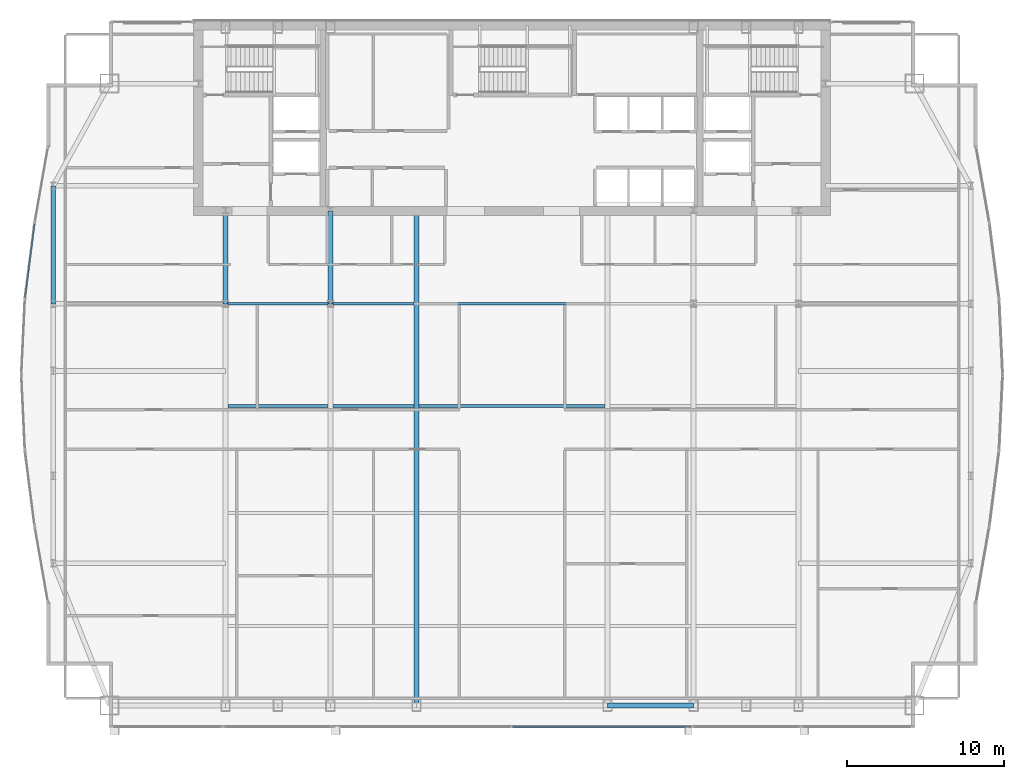
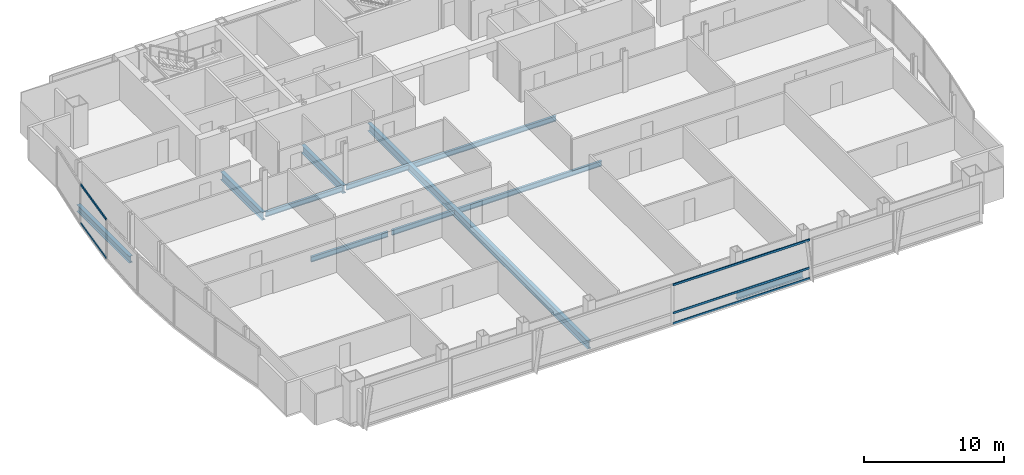
# One storey, part 11 of 30: 11 beams, 5 members, 2 elements without a shape of their own.
"""IFC4 building model written with IfcOpenShell, lengths in metres."""

import ifcopenshell
import ifcopenshell.guid

model = None  # the IFC model being written
_history = None  # IfcOwnerHistory: only IFC2X3 demands one
_inside = {}  # id of a spatial element -> (the spatial element, [elements in it])
_under = {}  # id of a project, library or spatial element -> (it, [spatial elements below it])
_declared = {}  # id of a project -> (the project, [libraries it declares])
_typed = {}  # id of a type object -> (the type object, [elements of that type])
_made_of = {}  # id of a material, layer set ... -> (it, [elements and type objects made of it])


def new_model(schema):
    """Start an empty IFC model of exactly this schema.

    Asked for "IFC4X3", IfcOpenShell would pick the latest addendum, in which some entities
    have other attributes; the version numbers below select the first issue.
    IFC2X3 requires an IfcOwnerHistory on every rooted entity: one is made here for all.
    """
    global model, _history
    if schema == "IFC4X3":
        model = ifcopenshell.file(schema_version=(4, 3, 0, 0))
    else:
        model = ifcopenshell.file(schema=schema)
    _inside.clear()
    _under.clear()
    _declared.clear()
    _typed.clear()
    _made_of.clear()
    _history = None
    if model.schema == "IFC2X3":
        org = make("IfcOrganization", Name="unknown")
        user = make(
            "IfcPersonAndOrganization",
            ThePerson=make("IfcPerson", FamilyName="unknown"),
            TheOrganization=org,
        )
        app = make(
            "IfcApplication",
            ApplicationDeveloper=org,
            Version="unknown",
            ApplicationFullName="unknown",
            ApplicationIdentifier="unknown",
        )
        _history = make(
            "IfcOwnerHistory",
            OwningUser=user,
            OwningApplication=app,
            ChangeAction="ADDED",
            CreationDate=0,
        )
    return model


def make(cls, **values):
    """One entity of the class cls with the attributes given. An attribute that is None is left unset."""
    return model.create_entity(
        cls, **{name: value for name, value in values.items() if value is not None}
    )


def rooted(cls, **values):
    """An entity with a GlobalId (a new one), such as an element, a storey or a relation."""
    return make(cls, GlobalId=ifcopenshell.guid.new(), OwnerHistory=_history, **values)


def si_unit(unit_type, name, prefix=None):
    """IfcSIUnit, for example si_unit("LENGTHUNIT", "METRE", prefix="MILLI")."""
    return make("IfcSIUnit", UnitType=unit_type, Prefix=prefix, Name=name)


def assignment(units):
    """IfcUnitAssignment: the units of a project."""
    return None if units is None else make("IfcUnitAssignment", Units=units)


def point(xyz):
    """IfcCartesianPoint."""
    return None if xyz is None else make("IfcCartesianPoint", Coordinates=xyz)


def direction(xyz):
    """IfcDirection."""
    return None if xyz is None else make("IfcDirection", DirectionRatios=xyz)


def frame(location, z_axis=None, x_axis=None):
    """IfcAxis2Placement3D, a coordinate frame: its origin and axes. An axis left out is left unset."""
    return make(
        "IfcAxis2Placement3D",
        Location=point(location),
        Axis=direction(z_axis),
        RefDirection=direction(x_axis),
    )


def frame_2d(location, x_axis=None):
    """IfcAxis2Placement2D, a coordinate frame in the plane: its origin and x axis."""
    return make(
        "IfcAxis2Placement2D", Location=point(location), RefDirection=direction(x_axis)
    )


def origin():
    """The frame at (0, 0, 0) with its axes left unset."""
    return frame((0.0, 0.0, 0.0))


def origin_2d():
    """The frame at (0, 0) in the plane with its x axis left unset."""
    return frame_2d((0.0, 0.0))


def place(relative_to, where):
    """IfcLocalPlacement: puts the frame where relative to a parent placement (None: the world)."""
    return make(
        "IfcLocalPlacement", PlacementRelTo=relative_to, RelativePlacement=where
    )


def context(
    kind, dimensions, precision=None, world=None, true_north=None, identifier=None
):
    """IfcGeometricRepresentationContext, for example the 3D "Model" context."""
    return make(
        "IfcGeometricRepresentationContext",
        ContextIdentifier=identifier,
        ContextType=kind,
        CoordinateSpaceDimension=dimensions,
        Precision=precision,
        WorldCoordinateSystem=world,
        TrueNorth=true_north,
    )


def subcontext(parent, identifier, kind, view, scale=None):
    """IfcGeometricRepresentationSubContext, for example "Body" below "Model"."""
    return make(
        "IfcGeometricRepresentationSubContext",
        ContextIdentifier=identifier,
        ContextType=kind,
        ParentContext=parent,
        TargetScale=scale,
        TargetView=view,
    )


def project(units=None, contexts=None):
    """IfcProject with its units and contexts."""
    return rooted(
        "IfcProject",
        Name="project",
        RepresentationContexts=contexts,
        UnitsInContext=assignment(units),
    )


def spatial(cls, under=None, at=None, **own):
    """A site, building, storey or space (cls), placed at a placement, below another one or the project."""
    s = rooted(cls, ObjectPlacement=at, **own)
    if under is not None:
        _under.setdefault(under.id(), (under, []))[1].append(s)
    return s


def profile(cls, at=None, kind="AREA", **sizes):
    """A parametric profile (cls). Its sizes go by their IFC names, for example OverallWidth=200.0."""
    return make(cls, ProfileType=kind, Position=at, **sizes)


def hollow_rectangle(**sizes):
    """IfcRectangleHollowProfileDef."""
    return profile("IfcRectangleHollowProfileDef", **sizes)


def i_section(**sizes):
    """IfcIShapeProfileDef."""
    return profile("IfcIShapeProfileDef", **sizes)


def extrude(swept, where, along, depth):
    """IfcExtrudedAreaSolid: the profile swept, set in the frame where, extruded along a direction by depth."""
    return make(
        "IfcExtrudedAreaSolid",
        SweptArea=swept,
        Position=where,
        ExtrudedDirection=direction(along),
        Depth=depth,
    )


def shape(context_of_items, identifier, shape_type, items):
    """IfcShapeRepresentation: the items that make up one representation, for example the "Body"."""
    return make(
        "IfcShapeRepresentation",
        ContextOfItems=context_of_items,
        RepresentationIdentifier=identifier,
        RepresentationType=shape_type,
        Items=items,
    )


def material(Name=None, Category=None):
    """IfcMaterial."""
    return make("IfcMaterial", Name=Name, Category=Category)


def material_profile(
    of_material, cross_section, Name=None, Category=None, Priority=None
):
    """IfcMaterialProfile: a cross section and its material."""
    return make(
        "IfcMaterialProfile",
        Name=Name,
        Material=of_material,
        Profile=cross_section,
        Priority=Priority,
        Category=Category,
    )


def profile_set(profiles, Name=None, composite=None):
    """IfcMaterialProfileSet."""
    return make(
        "IfcMaterialProfileSet",
        Name=Name,
        MaterialProfiles=profiles,
        CompositeProfile=composite,
    )


def made_of(thing, what):
    """Note that an element or type object is made of a material, layer set ...; save() writes the relation."""
    if what is not None:
        _made_of.setdefault(what.id(), (what, []))[1].append(thing)
    return thing


def type_object(cls, material=None, **own):
    """A type object (cls), such as IfcWallType, which elements share."""
    return made_of(rooted(cls, **own), material)


def element(
    cls,
    number,
    at=None,
    inside=None,
    cuts=None,
    type_object=None,
    material=None,
    context=None,
    identifier="Body",
    shape_type=None,
    held_by="IfcProductDefinitionShape",
    body=None,
    shapes=None,
    **own,
):
    """One element of the class cls, such as IfcWall. Its Tag is "e" and its number.

    at: its placement. inside: the storey or other place that contains it. cuts: it is an
    opening in that element (IfcRelVoidsElement). A single representation is given by context,
    identifier, shape_type and body (its items); several are given by shapes. held_by: the class
    of the entity that holds the representations. save() writes the other relations.
    """
    e = rooted(cls, Tag="e%d" % number, ObjectPlacement=at, **own)
    if body is not None:
        shapes = [shape(context, identifier, shape_type, body)]
    if shapes is not None:
        e.Representation = make(held_by, Representations=shapes)
    if inside is not None:
        _inside.setdefault(inside.id(), (inside, []))[1].append(e)
    if cuts is not None:
        rooted(
            "IfcRelVoidsElement", RelatingBuildingElement=cuts, RelatedOpeningElement=e
        )
    if type_object is not None:
        _typed.setdefault(type_object.id(), (type_object, []))[1].append(e)
    return made_of(e, material)


def aggregate(whole, parts):
    """IfcRelAggregates: a whole, such as a stair, and the parts it consists of."""
    return rooted("IfcRelAggregates", RelatingObject=whole, RelatedObjects=parts)


def save(model, path):
    """Write the relations noted so far, then the file.

    IfcRelAggregates (storeys below a building ...), IfcRelContainedInSpatialStructure (elements
    in a storey), IfcRelDefinesByType, IfcRelAssociatesMaterial and IfcRelDeclares: one each for
    every whole, place, type object, material and project.
    """
    for whole, parts in _under.values():
        aggregate(whole, parts)
    for where, things in _inside.values():
        rooted(
            "IfcRelContainedInSpatialStructure",
            RelatedElements=things,
            RelatingStructure=where,
        )
    for kind, things in _typed.values():
        rooted("IfcRelDefinesByType", RelatedObjects=things, RelatingType=kind)
    for what, things in _made_of.values():
        rooted("IfcRelAssociatesMaterial", RelatedObjects=things, RelatingMaterial=what)
    for by, libraries in _declared.values():
        rooted("IfcRelDeclares", RelatingContext=by, RelatedDefinitions=libraries)
    model.write(path)


model = new_model("IFC4")

# Units and contexts
model_context = context("Model", 3, precision=1e-05, world=origin(), true_north=direction((0.0, 1.0)))
body_context = subcontext(model_context, "Body", "Model", "MODEL_VIEW")
ifc_project = project(units=[si_unit("LENGTHUNIT", "METRE"), si_unit("AREAUNIT", "SQUARE_METRE"), si_unit("VOLUMEUNIT", "CUBIC_METRE"), si_unit("PLANEANGLEUNIT", "RADIAN"), si_unit("MASSUNIT", "GRAM", prefix="KILO")], contexts=[model_context])

# Site, building, storey
site_placement = place(None, origin())
site = spatial("IfcSite", under=ifc_project, at=site_placement, CompositionType="ELEMENT")
building_placement = place(site_placement, origin())
building = spatial("IfcBuilding", under=site, at=building_placement, Name="Khoronbel Lancet Exchange", CompositionType="ELEMENT")
storey_placement = place(building_placement, frame((0.0, 0.0, 203.0)))
storey = spatial("IfcBuildingStorey", under=building, at=storey_placement, Name="L51", CompositionType="ELEMENT", Elevation=203.0)

# Beams
ifc_material_1 = material(Name="Steel S355", Category="steel")
ifc_material_profile_1 = material_profile(ifc_material_1, i_section(OverallWidth=0.300048828125, OverallDepth=0.699951171875, WebThickness=0.01708984375, FlangeThickness=0.031982421875, at=origin_2d()), Name="HEB 700")
ifc_profile_set_1 = profile_set([ifc_material_profile_1], Name="Steel S355")
beam_type_1 = type_object("IfcBeamType", Name="BM-BG3", PredefinedType="BEAM", material=ifc_profile_set_1)
for number, where, z_axis, x_axis, name in (
    (1, (18.22509765625, 35.699951171875, -0.510009765625), (0.0, 1.0, 0.0), (-1.0, 0.0, 0.0), "Level L51 spine tie girder GN1"),
    (2, (24.89990234375, 35.699951171875, -0.510009765625), (0.0, 1.0, 0.0), (-1.0, 0.0, 0.0), "Level L51 spine tie girder GN2"),
):
    element("IfcBeam", number, at=place(storey_placement, frame(where, z_axis=z_axis, x_axis=x_axis)), inside=storey, type_object=beam_type_1, Name=name, PredefinedType="BEAM", context=body_context, shape_type="SweptSolid", body=[
        extrude(i_section(OverallWidth=0.300048828125, OverallDepth=0.699951171875, WebThickness=0.01708984375, FlangeThickness=0.031982421875, at=origin_2d()), origin(), (0.0, 0.0, 1.0), 5.900146484375),
    ])
beam_1_placement = place(storey_placement, frame((30.375, 10.14990234375, -0.510009765625), z_axis=(0.0, 1.0, 0.0), x_axis=(-1.0, 0.0, 0.0)))
element("IfcBeam", 3, at=beam_1_placement, inside=storey, type_object=beam_type_1, Name="Level L51 primary floor girder G3", PredefinedType="BEAM", context=body_context, shape_type="SweptSolid", body=[
    extrude(i_section(OverallWidth=0.300048828125, OverallDepth=0.699951171875, WebThickness=0.01708984375, FlangeThickness=0.031982421875, at=origin_2d()), origin(), (0.0, 0.0, 1.0), 31.4501953125),
])
ifc_material_profile_2 = material_profile(ifc_material_1, i_section(OverallWidth=0.18994140625, OverallDepth=0.449951171875, WebThickness=0.009521484375, FlangeThickness=0.0146484375, at=origin_2d()), Name="IPE 450")
ifc_profile_set_2 = profile_set([ifc_material_profile_2], Name="Steel S355")
beam_type_2 = type_object("IfcBeamType", Name="BM-BJ4", PredefinedType="JOIST", material=ifc_profile_set_2)
beam_2_placement = place(storey_placement, frame((18.375, 29.199951171875, -0.385009765625), z_axis=(1.0, 0.0, 0.0), x_axis=(0.0, 1.0, 0.0)))
element("IfcBeam", 4, at=beam_2_placement, inside=storey, type_object=beam_type_2, Name="Level L51 secondary composite joist J11", PredefinedType="JOIST", context=body_context, shape_type="SweptSolid", body=[
    extrude(i_section(OverallWidth=0.18994140625, OverallDepth=0.449951171875, WebThickness=0.009521484375, FlangeThickness=0.0146484375, at=origin_2d()), origin(), (0.0, 0.0, 1.0), 6.375),
])
beam_3_placement = place(storey_placement, frame((25.050048828125, 29.199951171875, -0.385009765625), z_axis=(1.0, 0.0, 0.0), x_axis=(0.0, 1.0, 0.0)))
element("IfcBeam", 5, at=beam_3_placement, inside=storey, type_object=beam_type_2, Name="Level L51 secondary composite joist J12", PredefinedType="JOIST", context=body_context, shape_type="SweptSolid", body=[
    extrude(i_section(OverallWidth=0.18994140625, OverallDepth=0.449951171875, WebThickness=0.009521484375, FlangeThickness=0.0146484375, at=origin_2d()), origin(), (0.0, 0.0, 1.0), 5.175048828125),
])
beam_4_placement = place(storey_placement, frame((30.52490234375, 29.199951171875, -0.385009765625), z_axis=(1.0, 0.0, 0.0), x_axis=(0.0, 1.0, 0.0)))
element("IfcBeam", 6, at=beam_4_placement, inside=storey, type_object=beam_type_2, Name="Level L51 secondary composite joist J13", PredefinedType="JOIST", context=body_context, shape_type="SweptSolid", body=[
    extrude(i_section(OverallWidth=0.18994140625, OverallDepth=0.449951171875, WebThickness=0.009521484375, FlangeThickness=0.0146484375, at=origin_2d()), origin(), (0.0, 0.0, 1.0), 11.85009765625),
])
beam_5_placement = place(storey_placement, frame((18.375, 35.699951171875, -0.385009765625), z_axis=(1.0, 0.0, 0.0), x_axis=(0.0, 1.0, 0.0)))
element("IfcBeam", 7, at=beam_5_placement, inside=storey, type_object=beam_type_2, Name="Level L51 secondary composite joist J16", PredefinedType="JOIST", context=body_context, shape_type="SweptSolid", body=[
    extrude(i_section(OverallWidth=0.18994140625, OverallDepth=0.449951171875, WebThickness=0.009521484375, FlangeThickness=0.0146484375, at=origin_2d()), origin(), (0.0, 0.0, 1.0), 6.375),
])
beam_6_placement = place(storey_placement, frame((25.050048828125, 35.699951171875, -0.385009765625), z_axis=(1.0, 0.0, 0.0), x_axis=(0.0, 1.0, 0.0)))
element("IfcBeam", 8, at=beam_6_placement, inside=storey, type_object=beam_type_2, Name="Level L51 secondary composite joist J17", PredefinedType="JOIST", context=body_context, shape_type="SweptSolid", body=[
    extrude(i_section(OverallWidth=0.18994140625, OverallDepth=0.449951171875, WebThickness=0.009521484375, FlangeThickness=0.0146484375, at=origin_2d()), origin(), (0.0, 0.0, 1.0), 5.175048828125),
])
beam_7_placement = place(storey_placement, frame((30.52490234375, 35.699951171875, -0.385009765625), z_axis=(1.0, 0.0, 0.0), x_axis=(0.0, 1.0, 0.0)))
element("IfcBeam", 9, at=beam_7_placement, inside=storey, type_object=beam_type_2, Name="Level L51 secondary composite joist J18", PredefinedType="JOIST", context=body_context, shape_type="SweptSolid", body=[
    extrude(i_section(OverallWidth=0.18994140625, OverallDepth=0.449951171875, WebThickness=0.009521484375, FlangeThickness=0.0146484375, at=origin_2d()), origin(), (0.0, 0.0, 1.0), 11.85009765625),
])
ifc_material_profile_3 = material_profile(ifc_material_1, i_section(OverallWidth=0.300048828125, OverallDepth=0.60009765625, WebThickness=0.015380859375, FlangeThickness=0.030029296875, at=origin_2d()), Name="HEB 600")
ifc_profile_set_3 = profile_set([ifc_material_profile_3], Name="Steel S355")
beam_type_3 = type_object("IfcBeamType", Name="BM-BSP2", PredefinedType="SPANDREL", material=ifc_profile_set_3)
beam_8_placement = place(storey_placement, frame((42.52490234375, 10.14990234375, -0.4599609375), z_axis=(1.0, 0.0, 0.0), x_axis=(0.0, 1.0, 0.0)))
element("IfcBeam", 10, at=beam_8_placement, inside=storey, type_object=beam_type_3, Name="Level L51 perimeter spandrel beam SP06", PredefinedType="SPANDREL", context=body_context, shape_type="SweptSolid", body=[
    extrude(i_section(OverallWidth=0.300048828125, OverallDepth=0.60009765625, WebThickness=0.015380859375, FlangeThickness=0.030029296875, at=origin_2d()), origin(), (0.0, 0.0, 1.0), 5.47509765625),
])
beam_9_placement = place(storey_placement, frame((7.27001953125, 43.199951171875, -0.4599609375), z_axis=(0.0, -1.0, 0.0), x_axis=(1.0, 0.0, 0.0)))
element("IfcBeam", 11, at=beam_9_placement, inside=storey, type_object=beam_type_3, Name="Level L51 perimeter spandrel beam SP17", PredefinedType="SPANDREL", context=body_context, shape_type="SweptSolid", body=[
    extrude(i_section(OverallWidth=0.300048828125, OverallDepth=0.60009765625, WebThickness=0.015380859375, FlangeThickness=0.030029296875, at=origin_2d()), origin(), (0.0, 0.0, 1.0), 7.5),
])

# Curtain wall, members
ifc_material_2 = material(Name="Low-E Solar Control Insulating Glass", Category="glass")
curtain_wall_type_1 = type_object("IfcCurtainWallType", Name="CW-4", PredefinedType="NOTDEFINED", material=ifc_material_2)
curtain_wall_1_placement = place(storey_placement, origin())
curtain_wall_1 = element("IfcCurtainWall", 12, at=curtain_wall_1_placement, inside=storey, type_object=curtain_wall_type_1, Name="Unitised curtain wall CW-L51-E08", PredefinedType="NOTDEFINED")
ifc_material_3 = material(Name="Bronze-Anodised Aluminium 6063-T6", Category="aluminium")
ifc_material_profile_4 = material_profile(ifc_material_3, hollow_rectangle(XDim=0.0849609375, YDim=0.179931640625, WallThickness=0.0048828125, at=origin_2d()), Name="ALU TRANSOM 85x180")
ifc_profile_set_4 = profile_set([ifc_material_profile_4], Name="Bronze-Anodised Aluminium 6063-T6")
member_type = type_object("IfcMemberType", Name="MEM-CWT1", PredefinedType="USERDEFINED", material=ifc_profile_set_4)
member_1_placement = place(storey_placement, frame((5.47998046875, 36.099853515625, 0.04248046875), z_axis=(0.127416282155, 0.9918493288, 0.0), x_axis=(-0.9918493288, 0.127416282155, 0.0)))
member_1 = element("IfcMember", 13, at=member_1_placement, type_object=member_type, Name="CW4 transom 1.1", ObjectType="TRANSOM", PredefinedType="USERDEFINED", context=body_context, shape_type="SweptSolid", body=[
    extrude(hollow_rectangle(XDim=0.0849609375, YDim=0.179931640625, WallThickness=0.0048828125, at=origin_2d()), origin(), (0.0, 0.0, 1.0), 4.71728515625),
])
member_2_placement = place(storey_placement, frame((5.47998046875, 36.099853515625, 3.3974609375), z_axis=(0.127416282155, 0.9918493288, 0.0), x_axis=(-0.9918493288, 0.127416282155, 0.0)))
member_2 = element("IfcMember", 14, at=member_2_placement, type_object=member_type, Name="CW4 transom 1.2", ObjectType="TRANSOM", PredefinedType="USERDEFINED", context=body_context, shape_type="SweptSolid", body=[
    extrude(hollow_rectangle(XDim=0.0849609375, YDim=0.179931640625, WallThickness=0.0048828125, at=origin_2d()), origin(), (0.0, 0.0, 1.0), 4.71728515625),
])
aggregate(curtain_wall_1, [member_1, member_2])

curtain_wall_type_2 = type_object("IfcCurtainWallType", Name="CW-3", PredefinedType="NOTDEFINED", material=ifc_material_2)
curtain_wall_2_placement = place(storey_placement, origin())
curtain_wall_2 = element("IfcCurtainWall", 15, at=curtain_wall_2_placement, inside=storey, type_object=curtain_wall_type_2, Name="Unitised curtain wall CW-L51-SCV", PredefinedType="NOTDEFINED")
member_3_placement = place(storey_placement, frame((36.492431640625, 8.7900390625, 0.04248046875), z_axis=(1.0, 0.0, 0.0), x_axis=(0.0, 1.0, 0.0)))
member_3 = element("IfcMember", 16, at=member_3_placement, type_object=member_type, Name="CW3 transom 2.1", ObjectType="TRANSOM", PredefinedType="USERDEFINED", context=body_context, shape_type="SweptSolid", body=[
    extrude(hollow_rectangle(XDim=0.0849609375, YDim=0.179931640625, WallThickness=0.0048828125, at=origin_2d()), origin(), (0.0, 0.0, 1.0), 11.322509765625),
])
member_4_placement = place(storey_placement, frame((36.492431640625, 8.7900390625, 0.949951171875), z_axis=(1.0, 0.0, 0.0), x_axis=(0.0, 1.0, 0.0)))
member_4 = element("IfcMember", 17, at=member_4_placement, type_object=member_type, Name="CW3 transom 2.2", ObjectType="TRANSOM", PredefinedType="USERDEFINED", context=body_context, shape_type="SweptSolid", body=[
    extrude(hollow_rectangle(XDim=0.0849609375, YDim=0.179931640625, WallThickness=0.0048828125, at=origin_2d()), origin(), (0.0, 0.0, 1.0), 11.322509765625),
])
member_5_placement = place(storey_placement, frame((36.492431640625, 8.7900390625, 3.3974609375), z_axis=(1.0, 0.0, 0.0), x_axis=(0.0, 1.0, 0.0)))
member_5 = element("IfcMember", 18, at=member_5_placement, type_object=member_type, Name="CW3 transom 2.3", ObjectType="TRANSOM", PredefinedType="USERDEFINED", context=body_context, shape_type="SweptSolid", body=[
    extrude(hollow_rectangle(XDim=0.0849609375, YDim=0.179931640625, WallThickness=0.0048828125, at=origin_2d()), origin(), (0.0, 0.0, 1.0), 11.322509765625),
])
aggregate(curtain_wall_2, [member_3, member_4, member_5])

save(model, "model.ifc")
